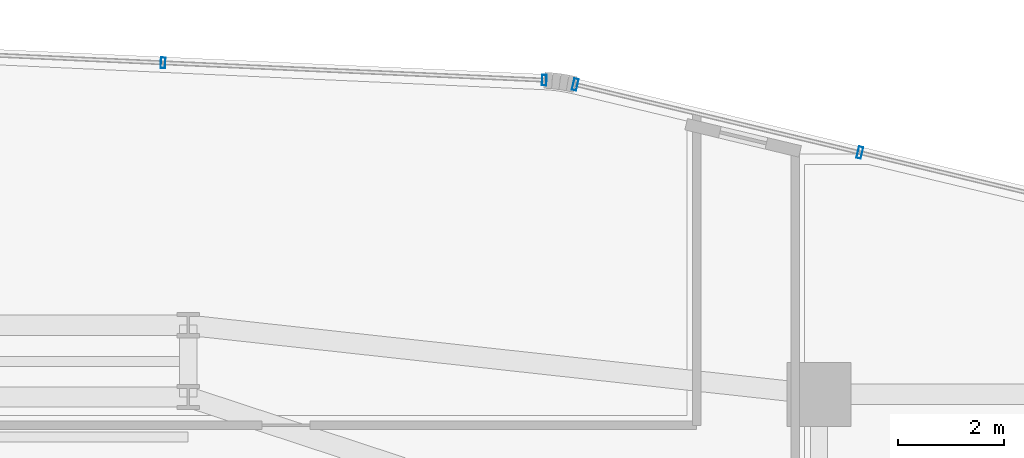
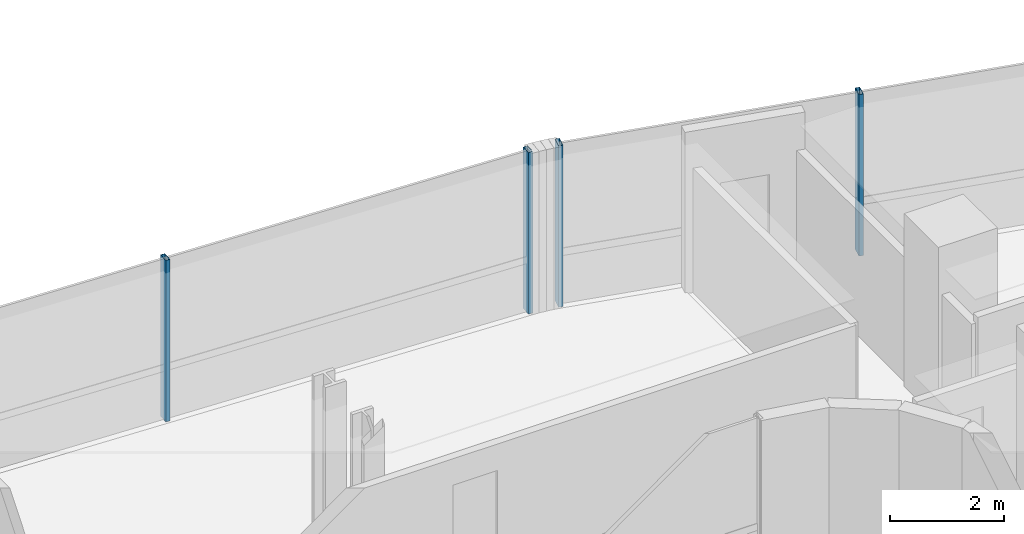
# One storey, part 22 of 34: 4 members, 2 elements without a shape of their own.
"""IFC4 building model written with IfcOpenShell, lengths in metres."""

import ifcopenshell
import ifcopenshell.guid

model = None  # the IFC model being written
_history = None  # IfcOwnerHistory: only IFC2X3 demands one
_inside = {}  # id of a spatial element -> (the spatial element, [elements in it])
_under = {}  # id of a project, library or spatial element -> (it, [spatial elements below it])
_declared = {}  # id of a project -> (the project, [libraries it declares])
_typed = {}  # id of a type object -> (the type object, [elements of that type])
_made_of = {}  # id of a material, layer set ... -> (it, [elements and type objects made of it])


def new_model(schema):
    """Start an empty IFC model of exactly this schema.

    Asked for "IFC4X3", IfcOpenShell would pick the latest addendum, in which some entities
    have other attributes; the version numbers below select the first issue.
    IFC2X3 requires an IfcOwnerHistory on every rooted entity: one is made here for all.
    """
    global model, _history
    if schema == "IFC4X3":
        model = ifcopenshell.file(schema_version=(4, 3, 0, 0))
    else:
        model = ifcopenshell.file(schema=schema)
    _inside.clear()
    _under.clear()
    _declared.clear()
    _typed.clear()
    _made_of.clear()
    _history = None
    if model.schema == "IFC2X3":
        org = make("IfcOrganization", Name="unknown")
        user = make(
            "IfcPersonAndOrganization",
            ThePerson=make("IfcPerson", FamilyName="unknown"),
            TheOrganization=org,
        )
        app = make(
            "IfcApplication",
            ApplicationDeveloper=org,
            Version="unknown",
            ApplicationFullName="unknown",
            ApplicationIdentifier="unknown",
        )
        _history = make(
            "IfcOwnerHistory",
            OwningUser=user,
            OwningApplication=app,
            ChangeAction="ADDED",
            CreationDate=0,
        )
    return model


def make(cls, **values):
    """One entity of the class cls with the attributes given. An attribute that is None is left unset."""
    return model.create_entity(
        cls, **{name: value for name, value in values.items() if value is not None}
    )


def rooted(cls, **values):
    """An entity with a GlobalId (a new one), such as an element, a storey or a relation."""
    return make(cls, GlobalId=ifcopenshell.guid.new(), OwnerHistory=_history, **values)


def si_unit(unit_type, name, prefix=None):
    """IfcSIUnit, for example si_unit("LENGTHUNIT", "METRE", prefix="MILLI")."""
    return make("IfcSIUnit", UnitType=unit_type, Prefix=prefix, Name=name)


def assignment(units):
    """IfcUnitAssignment: the units of a project."""
    return None if units is None else make("IfcUnitAssignment", Units=units)


def point(xyz):
    """IfcCartesianPoint."""
    return None if xyz is None else make("IfcCartesianPoint", Coordinates=xyz)


def direction(xyz):
    """IfcDirection."""
    return None if xyz is None else make("IfcDirection", DirectionRatios=xyz)


def frame(location, z_axis=None, x_axis=None):
    """IfcAxis2Placement3D, a coordinate frame: its origin and axes. An axis left out is left unset."""
    return make(
        "IfcAxis2Placement3D",
        Location=point(location),
        Axis=direction(z_axis),
        RefDirection=direction(x_axis),
    )


def frame_2d(location, x_axis=None):
    """IfcAxis2Placement2D, a coordinate frame in the plane: its origin and x axis."""
    return make(
        "IfcAxis2Placement2D", Location=point(location), RefDirection=direction(x_axis)
    )


def origin():
    """The frame at (0, 0, 0) with its axes left unset."""
    return frame((0.0, 0.0, 0.0))


def origin_2d():
    """The frame at (0, 0) in the plane with its x axis left unset."""
    return frame_2d((0.0, 0.0))


def place(relative_to, where):
    """IfcLocalPlacement: puts the frame where relative to a parent placement (None: the world)."""
    return make(
        "IfcLocalPlacement", PlacementRelTo=relative_to, RelativePlacement=where
    )


def context(
    kind, dimensions, precision=None, world=None, true_north=None, identifier=None
):
    """IfcGeometricRepresentationContext, for example the 3D "Model" context."""
    return make(
        "IfcGeometricRepresentationContext",
        ContextIdentifier=identifier,
        ContextType=kind,
        CoordinateSpaceDimension=dimensions,
        Precision=precision,
        WorldCoordinateSystem=world,
        TrueNorth=true_north,
    )


def subcontext(parent, identifier, kind, view, scale=None):
    """IfcGeometricRepresentationSubContext, for example "Body" below "Model"."""
    return make(
        "IfcGeometricRepresentationSubContext",
        ContextIdentifier=identifier,
        ContextType=kind,
        ParentContext=parent,
        TargetScale=scale,
        TargetView=view,
    )


def project(units=None, contexts=None):
    """IfcProject with its units and contexts."""
    return rooted(
        "IfcProject",
        Name="project",
        RepresentationContexts=contexts,
        UnitsInContext=assignment(units),
    )


def spatial(cls, under=None, at=None, **own):
    """A site, building, storey or space (cls), placed at a placement, below another one or the project."""
    s = rooted(cls, ObjectPlacement=at, **own)
    if under is not None:
        _under.setdefault(under.id(), (under, []))[1].append(s)
    return s


def profile(cls, at=None, kind="AREA", **sizes):
    """A parametric profile (cls). Its sizes go by their IFC names, for example OverallWidth=200.0."""
    return make(cls, ProfileType=kind, Position=at, **sizes)


def hollow_rectangle(**sizes):
    """IfcRectangleHollowProfileDef."""
    return profile("IfcRectangleHollowProfileDef", **sizes)


def extrude(swept, where, along, depth):
    """IfcExtrudedAreaSolid: the profile swept, set in the frame where, extruded along a direction by depth."""
    return make(
        "IfcExtrudedAreaSolid",
        SweptArea=swept,
        Position=where,
        ExtrudedDirection=direction(along),
        Depth=depth,
    )


def shape(context_of_items, identifier, shape_type, items):
    """IfcShapeRepresentation: the items that make up one representation, for example the "Body"."""
    return make(
        "IfcShapeRepresentation",
        ContextOfItems=context_of_items,
        RepresentationIdentifier=identifier,
        RepresentationType=shape_type,
        Items=items,
    )


def source(mapping_origin, context_of_items, identifier, shape_type, items):
    """IfcRepresentationMap: a shape defined once, which mapped items show again and again."""
    return make(
        "IfcRepresentationMap",
        MappingOrigin=mapping_origin,
        MappedRepresentation=shape(context_of_items, identifier, shape_type, items),
    )


def transform(
    local_origin,
    x_axis=None,
    y_axis=None,
    z_axis=None,
    scale=None,
    scale2=None,
    scale3=None,
    uniform=True,
):
    """IfcCartesianTransformationOperator3D, or its non-uniform kind. x_axis, y_axis, z_axis: its Axis1, 2, 3."""
    if uniform:
        return make(
            "IfcCartesianTransformationOperator3D",
            Axis1=direction(x_axis),
            Axis2=direction(y_axis),
            LocalOrigin=point(local_origin),
            Scale=scale,
            Axis3=direction(z_axis),
        )
    return make(
        "IfcCartesianTransformationOperator3DnonUniform",
        Axis1=direction(x_axis),
        Axis2=direction(y_axis),
        LocalOrigin=point(local_origin),
        Scale=scale,
        Axis3=direction(z_axis),
        Scale2=scale2,
        Scale3=scale3,
    )


def mapped(mapping_source, mapping_target):
    """IfcMappedItem: shows the shape of a source again, moved by a transform."""
    return make(
        "IfcMappedItem", MappingSource=mapping_source, MappingTarget=mapping_target
    )


def material(Name=None, Category=None):
    """IfcMaterial."""
    return make("IfcMaterial", Name=Name, Category=Category)


def material_profile(
    of_material, cross_section, Name=None, Category=None, Priority=None
):
    """IfcMaterialProfile: a cross section and its material."""
    return make(
        "IfcMaterialProfile",
        Name=Name,
        Material=of_material,
        Profile=cross_section,
        Priority=Priority,
        Category=Category,
    )


def profile_set(profiles, Name=None, composite=None):
    """IfcMaterialProfileSet."""
    return make(
        "IfcMaterialProfileSet",
        Name=Name,
        MaterialProfiles=profiles,
        CompositeProfile=composite,
    )


def made_of(thing, what):
    """Note that an element or type object is made of a material, layer set ...; save() writes the relation."""
    if what is not None:
        _made_of.setdefault(what.id(), (what, []))[1].append(thing)
    return thing


def type_object(cls, material=None, **own):
    """A type object (cls), such as IfcWallType, which elements share."""
    return made_of(rooted(cls, **own), material)


def element(
    cls,
    number,
    at=None,
    inside=None,
    cuts=None,
    type_object=None,
    material=None,
    context=None,
    identifier="Body",
    shape_type=None,
    held_by="IfcProductDefinitionShape",
    body=None,
    shapes=None,
    **own,
):
    """One element of the class cls, such as IfcWall. Its Tag is "e" and its number.

    at: its placement. inside: the storey or other place that contains it. cuts: it is an
    opening in that element (IfcRelVoidsElement). A single representation is given by context,
    identifier, shape_type and body (its items); several are given by shapes. held_by: the class
    of the entity that holds the representations. save() writes the other relations.
    """
    e = rooted(cls, Tag="e%d" % number, ObjectPlacement=at, **own)
    if body is not None:
        shapes = [shape(context, identifier, shape_type, body)]
    if shapes is not None:
        e.Representation = make(held_by, Representations=shapes)
    if inside is not None:
        _inside.setdefault(inside.id(), (inside, []))[1].append(e)
    if cuts is not None:
        rooted(
            "IfcRelVoidsElement", RelatingBuildingElement=cuts, RelatedOpeningElement=e
        )
    if type_object is not None:
        _typed.setdefault(type_object.id(), (type_object, []))[1].append(e)
    return made_of(e, material)


def aggregate(whole, parts):
    """IfcRelAggregates: a whole, such as a stair, and the parts it consists of."""
    return rooted("IfcRelAggregates", RelatingObject=whole, RelatedObjects=parts)


def save(model, path):
    """Write the relations noted so far, then the file.

    IfcRelAggregates (storeys below a building ...), IfcRelContainedInSpatialStructure (elements
    in a storey), IfcRelDefinesByType, IfcRelAssociatesMaterial and IfcRelDeclares: one each for
    every whole, place, type object, material and project.
    """
    for whole, parts in _under.values():
        aggregate(whole, parts)
    for where, things in _inside.values():
        rooted(
            "IfcRelContainedInSpatialStructure",
            RelatedElements=things,
            RelatingStructure=where,
        )
    for kind, things in _typed.values():
        rooted("IfcRelDefinesByType", RelatedObjects=things, RelatingType=kind)
    for what, things in _made_of.values():
        rooted("IfcRelAssociatesMaterial", RelatedObjects=things, RelatingMaterial=what)
    for by, libraries in _declared.values():
        rooted("IfcRelDeclares", RelatingContext=by, RelatedDefinitions=libraries)
    model.write(path)


model = new_model("IFC4")

# Units and contexts
model_context = context("Model", 3, precision=1e-05, world=origin(), true_north=direction((0.0, 1.0)))
body_context = subcontext(model_context, "Body", "Model", "MODEL_VIEW")
ifc_project = project(units=[si_unit("LENGTHUNIT", "METRE"), si_unit("AREAUNIT", "SQUARE_METRE"), si_unit("VOLUMEUNIT", "CUBIC_METRE"), si_unit("PLANEANGLEUNIT", "RADIAN"), si_unit("MASSUNIT", "GRAM", prefix="KILO")], contexts=[model_context])

# Site, building, storey
site_placement = place(None, origin())
site = spatial("IfcSite", under=ifc_project, at=site_placement, CompositionType="ELEMENT")
building_placement = place(site_placement, origin())
building = spatial("IfcBuilding", under=site, at=building_placement, Name="Valdorenza Pilgrim Sanctuary Tower", CompositionType="ELEMENT")
storey_placement = place(building_placement, frame((0.0, 0.0, 142.699951171875)))
storey = spatial("IfcBuildingStorey", under=building, at=storey_placement, Name="L36", CompositionType="ELEMENT", Elevation=142.699951171875)

# Curtain wall, members
ifc_material_1 = material(Name="Curtain-wall IGU glazing", Category="glass")
curtain_wall_type_1 = type_object("IfcCurtainWallType", Name="CW-SYS-02", PredefinedType="NOTDEFINED", material=ifc_material_1)
curtain_wall_1_placement = place(storey_placement, origin())
curtain_wall_1 = element("IfcCurtainWall", 1, at=curtain_wall_1_placement, inside=storey, type_object=curtain_wall_type_1, Name="L36 Curtain Wall CW-L36-1-11", PredefinedType="NOTDEFINED")
ifc_material_2 = material(Name="Anodised aluminium AW-6060", Category="aluminium")
ifc_material_profile_1 = material_profile(ifc_material_2, hollow_rectangle(XDim=0.0849609375, YDim=0.199951171875, WallThickness=0.0048828125, at=origin_2d()), Name="ALU-M 200x85x5")
ifc_profile_set_1 = profile_set([ifc_material_profile_1], Name="Anodised aluminium AW-6060")
member_type_1 = type_object("IfcMemberType", Name="CW-MUL-02", PredefinedType="MULLION", material=ifc_profile_set_1)
shared_shape_1 = source(origin(), body_context, "Body", "SweptSolid", [
    extrude(hollow_rectangle(XDim=0.0849609375, YDim=0.199951171875, WallThickness=0.0048828125, at=origin_2d()), origin(), (0.0, 0.0, 1.0), 3.4599609375),
])
member_1_placement = place(storey_placement, frame((3.528076171875, 19.7294921875, 0.0), z_axis=(0.0, 0.0, 1.0), x_axis=(0.998968193221, -0.045415294044, 0.0)))
member_1 = element("IfcMember", 2, at=member_1_placement, type_object=member_type_1, Name="CW-L36-1-11 Mullion 3", PredefinedType="MULLION", context=body_context, shape_type="MappedRepresentation", body=[
    mapped(shared_shape_1, transform((0.0, 0.0, 0.0), x_axis=(1.0, 0.0, 0.0), y_axis=(0.0, 1.0, 0.0), z_axis=(0.0, 0.0, 1.0), scale=1.0)),
])
member_2_placement = place(storey_placement, frame((10.68994140625, 19.404052734375, 0.0), z_axis=(0.0, 0.0, 1.0), x_axis=(0.998968193221, -0.045415294044, 0.0)))
member_2 = element("IfcMember", 3, at=member_2_placement, type_object=member_type_1, Name="CW-L36-1-11 Mullion 4", PredefinedType="MULLION", context=body_context, shape_type="MappedRepresentation", body=[
    mapped(shared_shape_1, transform((0.0, 0.0, 0.0), x_axis=(1.0, 0.0, 0.0), y_axis=(0.0, 1.0, 0.0), z_axis=(0.0, 0.0, 1.0), scale=1.0)),
])
aggregate(curtain_wall_1, [member_1, member_2])

curtain_wall_type_2 = type_object("IfcCurtainWallType", Name="CW-SYS-03", PredefinedType="NOTDEFINED", material=ifc_material_1)
curtain_wall_2_placement = place(storey_placement, origin())
curtain_wall_2 = element("IfcCurtainWall", 4, at=curtain_wall_2_placement, inside=storey, type_object=curtain_wall_type_2, Name="L36 Curtain Wall CW-L36-1-16", PredefinedType="NOTDEFINED")
ifc_material_profile_2 = material_profile(ifc_material_2, hollow_rectangle(XDim=0.0849609375, YDim=0.219970703125, WallThickness=0.0048828125, at=origin_2d()), Name="ALU-M 220x85x5")
ifc_profile_set_2 = profile_set([ifc_material_profile_2], Name="Anodised aluminium AW-6060")
member_type_2 = type_object("IfcMemberType", Name="CW-MUL-03", PredefinedType="MULLION", material=ifc_profile_set_2)
shared_shape_2 = source(origin(), body_context, "Body", "SweptSolid", [
    extrude(hollow_rectangle(XDim=0.0849609375, YDim=0.219970703125, WallThickness=0.0048828125, at=origin_2d()), origin(), (0.0, 0.0, 1.0), 3.4599609375),
])
member_3_placement = place(storey_placement, frame((11.271484375, 19.322021484375, 0.0), z_axis=(0.0, 0.0, 1.0), x_axis=(0.972528596343, -0.232783438617, 0.0)))
member_3 = element("IfcMember", 5, at=member_3_placement, type_object=member_type_2, Name="CW-L36-1-16 Mullion 1", PredefinedType="MULLION", context=body_context, shape_type="MappedRepresentation", body=[
    mapped(shared_shape_2, transform((0.0, 0.0, 0.0), x_axis=(1.0, 0.0, 0.0), y_axis=(0.0, 1.0, 0.0), z_axis=(0.0, 0.0, 1.0), scale=1.0)),
])
member_4_placement = place(storey_placement, frame((16.617919921875, 18.042236328125, 0.0), z_axis=(0.0, 0.0, 1.0), x_axis=(0.972528596343, -0.232783438617, 0.0)))
member_4 = element("IfcMember", 6, at=member_4_placement, type_object=member_type_2, Name="CW-L36-1-16 Mullion 2", PredefinedType="MULLION", context=body_context, shape_type="MappedRepresentation", body=[
    mapped(shared_shape_2, transform((0.0, 0.0, 0.0), x_axis=(1.0, 0.0, 0.0), y_axis=(0.0, 1.0, 0.0), z_axis=(0.0, 0.0, 1.0), scale=1.0)),
])
aggregate(curtain_wall_2, [member_3, member_4])

save(model, "model.ifc")
